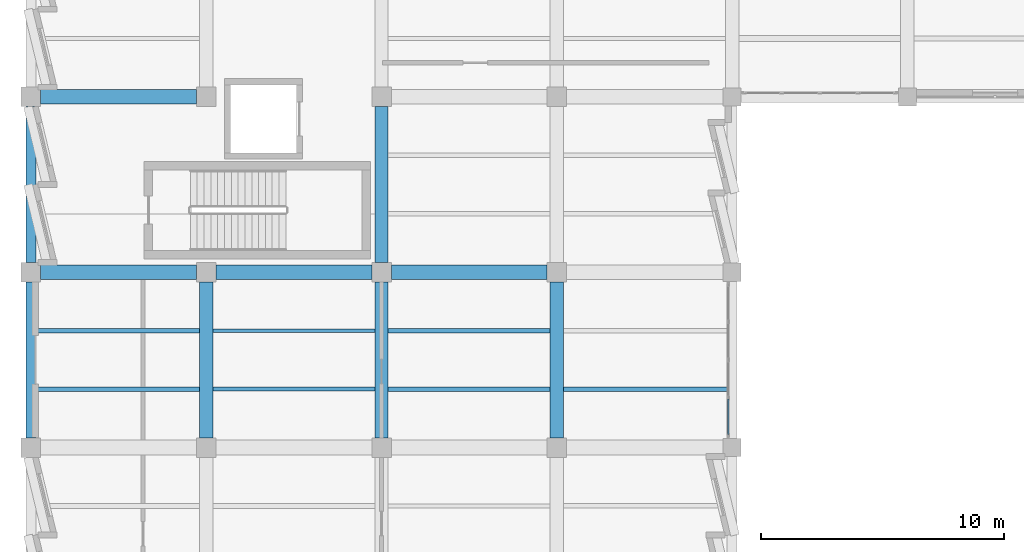
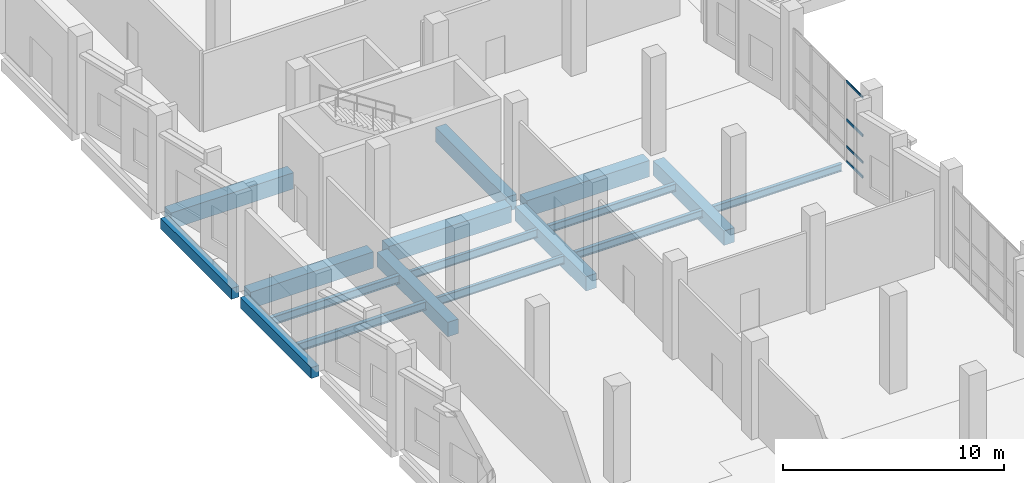
# One storey, part 47 of 137: 17 beams, 4 members, 1 element without a shape of its own.
"""IFC4 building model written with IfcOpenShell, lengths in metres."""

from ifc_helpers import new_model, si_unit, direction, frame, origin, origin_2d, place, context, subcontext, project, spatial, rectangle, hollow_rectangle, i_section, extrude, material, material_profile, profile_set, type_object, element, aggregate, save


model = new_model("IFC4")

# Units and contexts
model_context = context("Model", 3, precision=1e-05, world=origin(), true_north=direction((0.0, 1.0)))
body_context = subcontext(model_context, "Body", "Model", "MODEL_VIEW")
ifc_project = project(units=[si_unit("LENGTHUNIT", "METRE"), si_unit("AREAUNIT", "SQUARE_METRE"), si_unit("VOLUMEUNIT", "CUBIC_METRE"), si_unit("PLANEANGLEUNIT", "RADIAN"), si_unit("MASSUNIT", "GRAM", prefix="KILO")], contexts=[model_context])

# Site, building, storey
site_placement = place(None, origin())
site = spatial("IfcSite", under=ifc_project, at=site_placement, CompositionType="ELEMENT")
building_placement = place(site_placement, origin())
building = spatial("IfcBuilding", under=site, at=building_placement, Name="Kalmorath City Hall", CompositionType="ELEMENT")
storey_placement = place(building_placement, origin())
storey = spatial("IfcBuildingStorey", under=building, at=storey_placement, Name="L00", CompositionType="ELEMENT", Elevation=0.0)

# Beams
ifc_material_1 = material(Name="Concrete C40/50", Category="concrete")
ifc_material_profile_1 = material_profile(ifc_material_1, rectangle(XDim=0.39990234375, YDim=0.60009765625, at=origin_2d()), Name="RC-BM-400X600")
ifc_profile_set_1 = profile_set([ifc_material_profile_1], Name="Concrete C40/50")
beam_type_1 = type_object("IfcBeamType", Name="Concrete edge beam 400x600", PredefinedType="SPANDREL", material=ifc_profile_set_1)
for number, where, z_axis, x_axis, name in (
    (1, (0.0, 79.60009765625, -0.60400390625), (0.0, 1.0, 0.0), (-1.0, 0.0, 0.0), "L00 girder CB6 Y1/12-13"),
    (2, (0.0, 86.800048828125, -0.60400390625), (0.0, 1.0, 0.0), (-1.0, 0.0, 0.0), "L00 girder CB6 Y1/13-14"),
):
    element("IfcBeam", number, at=place(storey_placement, frame(where, z_axis=z_axis, x_axis=x_axis)), inside=storey, type_object=beam_type_1, Name=name, PredefinedType="SPANDREL", context=body_context, shape_type="SweptSolid", body=[
        extrude(rectangle(XDim=0.39990234375, YDim=0.60009765625, at=origin_2d()), origin(), (0.0, 0.0, 1.0), 6.39990234375),
    ])
ifc_material_2 = material(Name="Concrete C40/50", Category="concrete")
ifc_material_profile_2 = material_profile(ifc_material_2, rectangle(XDim=0.550048828125, YDim=0.800048828125, at=origin_2d()), Name="RC-BM-550X800")
ifc_profile_set_2 = profile_set([ifc_material_profile_2], Name="Concrete C40/50")
beam_type_2 = type_object("IfcBeamType", Name="Concrete floor girder 550x800", PredefinedType="BEAM", material=ifc_profile_set_2)
for number, where, z_axis, x_axis, name in (
    (3, (7.199951171875, 79.60009765625, -0.7041015625), (0.0, 1.0, 0.0), (-1.0, 0.0, 0.0), "L00 girder CB2 Y2/12-13"),
    (4, (14.39990234375, 79.60009765625, -0.7041015625), (0.0, 1.0, 0.0), (-1.0, 0.0, 0.0), "L00 girder CB2 Y3/12-13"),
    (5, (14.39990234375, 86.800048828125, -0.7041015625), (0.0, 1.0, 0.0), (-1.0, 0.0, 0.0), "L00 girder CB2 Y3/13-14"),
    (6, (21.60009765625, 79.60009765625, -0.7041015625), (0.0, 1.0, 0.0), (-1.0, 0.0, 0.0), "L00 girder CB2 Y4/12-13"),
):
    element("IfcBeam", number, at=place(storey_placement, frame(where, z_axis=z_axis, x_axis=x_axis)), inside=storey, type_object=beam_type_2, Name=name, PredefinedType="BEAM", context=body_context, shape_type="SweptSolid", body=[
        extrude(rectangle(XDim=0.550048828125, YDim=0.800048828125, at=origin_2d()), origin(), (0.0, 0.0, 1.0), 6.39990234375),
    ])
ifc_material_3 = material(Name="Concrete C40/50", Category="concrete")
ifc_material_profile_3 = material_profile(ifc_material_3, rectangle(XDim=0.60009765625, YDim=0.89990234375, at=origin_2d()), Name="RC-BM-600X900")
ifc_profile_set_3 = profile_set([ifc_material_profile_3], Name="Concrete C40/50")
beam_type_3 = type_object("IfcBeamType", Name="Concrete floor girder 600x900", PredefinedType="BEAM", material=ifc_profile_set_3)
beam_1_placement = place(storey_placement, frame((0.39990234375, 86.39990234375, -0.75390625), z_axis=(1.0, 0.0, 0.0), x_axis=(0.0, 1.0, 0.0)))
element("IfcBeam", 7, at=beam_1_placement, inside=storey, type_object=beam_type_3, Name="L00 girder CB1 X1-2/13", PredefinedType="BEAM", context=body_context, shape_type="SweptSolid", body=[
    extrude(rectangle(XDim=0.60009765625, YDim=0.89990234375, at=origin_2d()), origin(), (0.0, 0.0, 1.0), 6.400146484375),
])
for number, where, z_axis, x_axis, name in (
    (8, (7.60009765625, 86.39990234375, -0.75390625), (1.0, 0.0, 0.0), (0.0, 1.0, 0.0), "L00 girder CB1 X2-3/13"),
    (9, (14.800048828125, 86.39990234375, -0.75390625), (1.0, 0.0, 0.0), (0.0, 1.0, 0.0), "L00 girder CB1 X3-4/13"),
):
    element("IfcBeam", number, at=place(storey_placement, frame(where, z_axis=z_axis, x_axis=x_axis)), inside=storey, type_object=beam_type_3, Name=name, PredefinedType="BEAM", context=body_context, shape_type="SweptSolid", body=[
        extrude(rectangle(XDim=0.60009765625, YDim=0.89990234375, at=origin_2d()), origin(), (0.0, 0.0, 1.0), 6.39990234375),
    ])
beam_2_placement = place(storey_placement, frame((0.39990234375, 93.60009765625, -0.75390625), z_axis=(1.0, 0.0, 0.0), x_axis=(0.0, 1.0, 0.0)))
element("IfcBeam", 10, at=beam_2_placement, inside=storey, type_object=beam_type_3, Name="L00 girder CB1 X1-2/14", PredefinedType="BEAM", context=body_context, shape_type="SweptSolid", body=[
    extrude(rectangle(XDim=0.60009765625, YDim=0.89990234375, at=origin_2d()), origin(), (0.0, 0.0, 1.0), 6.400146484375),
])

# Curtain wall, members
ifc_material_4 = material(Name="Anodised aluminium and laminated glass", Category="aluminium")
curtain_wall_type = type_object("IfcCurtainWallType", Name="Unitised hurricane curtain wall 6270x4461 M1600", PredefinedType="NOTDEFINED", material=ifc_material_4)
curtain_wall_placement = place(storey_placement, origin())
curtain_wall = element("IfcCurtainWall", 11, at=curtain_wall_placement, inside=storey, type_object=curtain_wall_type, Name="L00 curtain wall CW-63X45M16 #55", PredefinedType="NOTDEFINED")
ifc_material_5 = material(Name="Anodised aluminium framing", Category="aluminium")
ifc_material_profile_4 = material_profile(ifc_material_5, hollow_rectangle(XDim=0.06005859375, YDim=0.1298828125, WallThickness=0.00341796875, InnerFilletRadius=0.00341796875, OuterFilletRadius=0.007080078125, at=origin_2d()), Name="ALU-TRN-130X60X3.5")
ifc_profile_set_4 = profile_set([ifc_material_profile_4], Name="Anodised aluminium framing")
member_type = type_object("IfcMemberType", Name="Curtain-wall courtyard transom 130x60", PredefinedType="USERDEFINED", material=ifc_profile_set_4)
member_1_placement = place(storey_placement, frame((28.639892578125, 81.199951171875, 0.030029296875), z_axis=(0.0, -1.0, 0.0), x_axis=(1.0, 0.0, 0.0)))
member_1 = element("IfcMember", 12, at=member_1_placement, type_object=member_type, Name="CW-63X45M16 transom 4.1", ObjectType="TRANSOM", PredefinedType="USERDEFINED", context=body_context, shape_type="SweptSolid", body=[
    extrude(hollow_rectangle(XDim=0.06005859375, YDim=0.1298828125, WallThickness=0.00341796875, InnerFilletRadius=0.00341796875, OuterFilletRadius=0.007080078125, at=origin_2d()), origin(), (0.0, 0.0, 1.0), 1.469970703125),
])
member_2_placement = place(storey_placement, frame((28.639892578125, 81.199951171875, 0.85009765625), z_axis=(0.0, -1.0, 0.0), x_axis=(1.0, 0.0, 0.0)))
member_2 = element("IfcMember", 13, at=member_2_placement, type_object=member_type, Name="CW-63X45M16 transom 4.2", ObjectType="TRANSOM", PredefinedType="USERDEFINED", context=body_context, shape_type="SweptSolid", body=[
    extrude(hollow_rectangle(XDim=0.06005859375, YDim=0.1298828125, WallThickness=0.00341796875, InnerFilletRadius=0.00341796875, OuterFilletRadius=0.007080078125, at=origin_2d()), origin(), (0.0, 0.0, 1.0), 1.469970703125),
])
member_3_placement = place(storey_placement, frame((28.639892578125, 81.199951171875, 2.320068359375), z_axis=(0.0, -1.0, 0.0), x_axis=(1.0, 0.0, 0.0)))
member_3 = element("IfcMember", 14, at=member_3_placement, type_object=member_type, Name="CW-63X45M16 transom 4.3", ObjectType="TRANSOM", PredefinedType="USERDEFINED", context=body_context, shape_type="SweptSolid", body=[
    extrude(hollow_rectangle(XDim=0.06005859375, YDim=0.1298828125, WallThickness=0.00341796875, InnerFilletRadius=0.00341796875, OuterFilletRadius=0.007080078125, at=origin_2d()), origin(), (0.0, 0.0, 1.0), 1.469970703125),
])
member_4_placement = place(storey_placement, frame((28.639892578125, 81.199951171875, 4.430908203125), z_axis=(0.0, -1.0, 0.0), x_axis=(1.0, 0.0, 0.0)))
member_4 = element("IfcMember", 15, at=member_4_placement, type_object=member_type, Name="CW-63X45M16 transom 4.4", ObjectType="TRANSOM", PredefinedType="USERDEFINED", context=body_context, shape_type="SweptSolid", body=[
    extrude(hollow_rectangle(XDim=0.06005859375, YDim=0.1298828125, WallThickness=0.00341796875, InnerFilletRadius=0.00341796875, OuterFilletRadius=0.007080078125, at=origin_2d()), origin(), (0.0, 0.0, 1.0), 1.469970703125),
])
aggregate(curtain_wall, [member_1, member_2, member_3, member_4])

# Beams
ifc_material_6 = material(Name="Steel ASTM A992 Grade 50", Category="steel")
ifc_material_profile_5 = material_profile(ifc_material_6, i_section(OverallWidth=0.178955078125, OverallDepth=0.409912109375, WebThickness=0.0087890625, FlangeThickness=0.014404296875, FilletRadius=0.012939453125, at=origin_2d()), Name="W16X45")
ifc_profile_set_5 = profile_set([ifc_material_profile_5], Name="Steel ASTM A992 Grade 50")
beam_type_4 = type_object("IfcBeamType", Name="Steel composite joist W16X45", PredefinedType="JOIST", material=ifc_profile_set_5)
beam_3_placement = place(storey_placement, frame((21.875, 81.60009765625, -0.509033203125), z_axis=(1.0, 0.0, 0.0), x_axis=(0.0, 1.0, 0.0)))
element("IfcBeam", 16, at=beam_3_placement, inside=storey, type_object=beam_type_4, Name="L00 joist SJ6 4.12.1", PredefinedType="JOIST", context=body_context, shape_type="SweptSolid", body=[
    extrude(i_section(OverallWidth=0.178955078125, OverallDepth=0.409912109375, WebThickness=0.0087890625, FlangeThickness=0.014404296875, FilletRadius=0.012939453125, at=origin_2d()), origin(), (0.0, 0.0, 1.0), 6.72509765625),
])
ifc_material_7 = material(Name="Steel ASTM A992 Grade 50", Category="steel")
ifc_material_profile_6 = material_profile(ifc_material_7, i_section(OverallWidth=0.180908203125, OverallDepth=0.4169921875, WebThickness=0.010986328125, FlangeThickness=0.018310546875, FilletRadius=0.012939453125, at=origin_2d()), Name="W16X57")
ifc_profile_set_6 = profile_set([ifc_material_profile_6], Name="Steel ASTM A992 Grade 50")
beam_type_5 = type_object("IfcBeamType", Name="Steel composite joist W16X57", PredefinedType="JOIST", material=ifc_profile_set_6)
for number, where, z_axis, x_axis, name in (
    (17, (14.675048828125, 81.60009765625, -0.512451171875), (1.0, 0.0, 0.0), (0.0, 1.0, 0.0), "L00 joist SJ5 3.12.1"),
    (18, (14.675048828125, 84.0, -0.512451171875), (1.0, 0.0, 0.0), (0.0, 1.0, 0.0), "L00 joist SJ5 3.12.2"),
):
    element("IfcBeam", number, at=place(storey_placement, frame(where, z_axis=z_axis, x_axis=x_axis)), inside=storey, type_object=beam_type_5, Name=name, PredefinedType="JOIST", context=body_context, shape_type="SweptSolid", body=[
        extrude(i_section(OverallWidth=0.180908203125, OverallDepth=0.4169921875, WebThickness=0.010986328125, FlangeThickness=0.018310546875, FilletRadius=0.012939453125, at=origin_2d()), origin(), (0.0, 0.0, 1.0), 6.64990234375),
    ])
ifc_material_8 = material(Name="Steel ASTM A992 Grade 50", Category="steel")
ifc_material_profile_7 = material_profile(ifc_material_8, i_section(OverallWidth=0.153076171875, OverallDepth=0.455078125, WebThickness=0.008056640625, FlangeThickness=0.01318359375, FilletRadius=0.013916015625, at=origin_2d()), Name="W18X40")
ifc_profile_set_7 = profile_set([ifc_material_profile_7], Name="Steel ASTM A992 Grade 50")
beam_type_6 = type_object("IfcBeamType", Name="Steel composite joist W18X40", PredefinedType="JOIST", material=ifc_profile_set_7)
for number, where, z_axis, x_axis, name in (
    (19, (7.47509765625, 81.60009765625, -0.531494140625), (1.0, 0.0, 0.0), (0.0, 1.0, 0.0), "L00 joist SJ4 2.12.1"),
    (20, (7.47509765625, 84.0, -0.531494140625), (1.0, 0.0, 0.0), (0.0, 1.0, 0.0), "L00 joist SJ4 2.12.2"),
):
    element("IfcBeam", number, at=place(storey_placement, frame(where, z_axis=z_axis, x_axis=x_axis)), inside=storey, type_object=beam_type_6, Name=name, PredefinedType="JOIST", context=body_context, shape_type="SweptSolid", body=[
        extrude(i_section(OverallWidth=0.153076171875, OverallDepth=0.455078125, WebThickness=0.008056640625, FlangeThickness=0.01318359375, FilletRadius=0.013916015625, at=origin_2d()), origin(), (0.0, 0.0, 1.0), 6.64990234375),
    ])
ifc_material_9 = material(Name="Steel ASTM A992 Grade 50", Category="steel")
ifc_material_profile_8 = material_profile(ifc_material_9, i_section(OverallWidth=0.19091796875, OverallDepth=0.45703125, WebThickness=0.009033203125, FlangeThickness=0.014404296875, FilletRadius=0.013916015625, at=origin_2d()), Name="W18X50")
ifc_profile_set_8 = profile_set([ifc_material_profile_8], Name="Steel ASTM A992 Grade 50")
beam_type_7 = type_object("IfcBeamType", Name="Steel composite joist W18X50", PredefinedType="JOIST", material=ifc_profile_set_8)
for number, where, z_axis, x_axis, name in (
    (21, (0.199951171875, 81.60009765625, -0.532470703125), (1.0, 0.0, 0.0), (0.0, 1.0, 0.0), "L00 joist SJ3 1.12.1"),
    (22, (0.199951171875, 84.0, -0.532470703125), (1.0, 0.0, 0.0), (0.0, 1.0, 0.0), "L00 joist SJ3 1.12.2"),
):
    element("IfcBeam", number, at=place(storey_placement, frame(where, z_axis=z_axis, x_axis=x_axis)), inside=storey, type_object=beam_type_7, Name=name, PredefinedType="JOIST", context=body_context, shape_type="SweptSolid", body=[
        extrude(i_section(OverallWidth=0.19091796875, OverallDepth=0.45703125, WebThickness=0.009033203125, FlangeThickness=0.014404296875, FilletRadius=0.013916015625, at=origin_2d()), origin(), (0.0, 0.0, 1.0), 6.72509765625),
    ])

save(model, "model.ifc")
